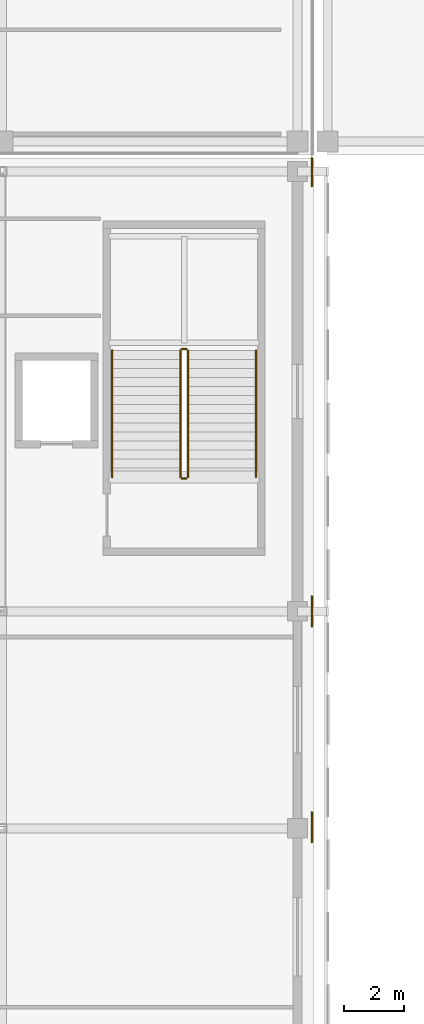
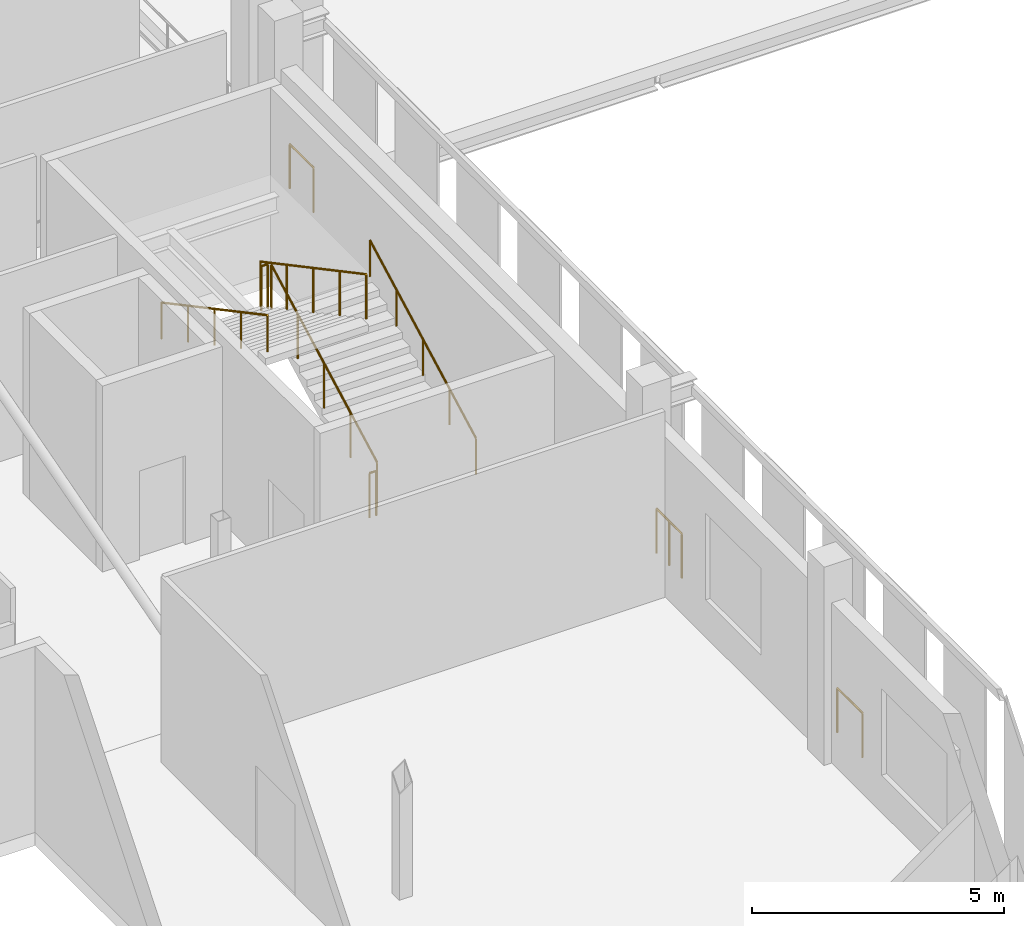
# One storey, part 71 of 74: 10 railings.
"""IFC4 building model written with IfcOpenShell, lengths in metres."""

from ifc_helpers import new_model, si_unit, direction, frame, origin, origin_2d, place, context, subcontext, project, spatial, circle, extrude, material, type_object, element, save


model = new_model("IFC4")

# Units and contexts
model_context = context("Model", 3, precision=1e-05, world=origin(), true_north=direction((0.0, 1.0)))
body_context = subcontext(model_context, "Body", "Model", "MODEL_VIEW")
ifc_project = project(units=[si_unit("LENGTHUNIT", "METRE"), si_unit("AREAUNIT", "SQUARE_METRE"), si_unit("VOLUMEUNIT", "CUBIC_METRE"), si_unit("PLANEANGLEUNIT", "RADIAN"), si_unit("MASSUNIT", "GRAM", prefix="KILO")], contexts=[model_context])

# Site, building, storey
site_placement = place(None, origin())
site = spatial("IfcSite", under=ifc_project, at=site_placement, CompositionType="ELEMENT")
building_placement = place(site_placement, origin())
building = spatial("IfcBuilding", under=site, at=building_placement, Name="Koshinbarg Plaza Stadium", CompositionType="ELEMENT")
storey_placement = place(building_placement, frame((0.0, 0.0, 15.0)))
storey = spatial("IfcBuildingStorey", under=building, at=storey_placement, Name="L03", CompositionType="ELEMENT", Elevation=15.0)

# Railings
ifc_material_1 = material(Name="Toughened laminated glass and stainless steel sightline balustrade", Category="steel")
railing_type_1 = type_object("IfcRailingType", Name="RL-BOWL-1100", PredefinedType="BALUSTRADE", material=ifc_material_1)
railing_1_placement = place(storey_placement, frame((218.875, 111.89990234375, 0.0)))
element("IfcRailing", 1, at=railing_1_placement, inside=storey, type_object=railing_type_1, Name="L03 deck edge safety balustrade 0248", PredefinedType="BALUSTRADE", context=body_context, shape_type="SweptSolid", body=[
    extrude(circle(Radius=0.02392578125, at=origin_2d()), frame((0.0, 0.0, 1.076171875), z_axis=(0.0, -1.0, 0.0), x_axis=(1.0, 0.0, 0.0)), (0.0, 0.0, 1.0), 0.498291015625),
    extrude(circle(Radius=0.02099609375, at=origin_2d()), origin(), (0.0, 0.0, 1.0), 1.052001953125),
    extrude(circle(Radius=0.02099609375, at=origin_2d()), frame((0.0, -0.498291015625, 0.0)), (0.0, 0.0, 1.0), 1.052001953125),
])
railing_2_placement = place(storey_placement, frame((218.875, 105.23583984375, 0.0)))
element("IfcRailing", 2, at=railing_2_placement, inside=storey, type_object=railing_type_1, Name="L03 deck edge safety balustrade 0249", PredefinedType="BALUSTRADE", context=body_context, shape_type="SweptSolid", body=[
    extrude(circle(Radius=0.02392578125, at=origin_2d()), frame((0.0, 0.0, 1.076171875), z_axis=(0.0, -1.0, 0.0), x_axis=(1.0, 0.0, 0.0)), (0.0, 0.0, 1.0), 0.996826171875),
    extrude(circle(Radius=0.02099609375, at=origin_2d()), origin(), (0.0, 0.0, 1.0), 1.052001953125),
    extrude(circle(Radius=0.02099609375, at=origin_2d()), frame((0.0, -0.996826171875, 0.0)), (0.0, 0.0, 1.0), 1.052001953125),
])
railing_3_placement = place(storey_placement, frame((218.875, 126.955078125, 0.0)))
element("IfcRailing", 3, at=railing_3_placement, inside=storey, type_object=railing_type_1, Name="L03 deck edge safety balustrade 0255", PredefinedType="BALUSTRADE", context=body_context, shape_type="SweptSolid", body=[
    extrude(circle(Radius=0.02392578125, at=origin_2d()), frame((0.0, 0.0, 1.076171875), z_axis=(0.0, -1.0, 0.0), x_axis=(1.0, 0.0, 0.0)), (0.0, 0.0, 1.0), 0.9453125),
    extrude(circle(Radius=0.02099609375, at=origin_2d()), origin(), (0.0, 0.0, 1.0), 1.052001953125),
    extrude(circle(Radius=0.02099609375, at=origin_2d()), frame((0.0, -0.9453125, 0.0)), (0.0, 0.0, 1.0), 1.052001953125),
])
railing_4_placement = place(storey_placement, frame((218.875, 112.398193359375, 0.0)))
element("IfcRailing", 4, at=railing_4_placement, inside=storey, type_object=railing_type_1, Name="L03 deck edge safety balustrade 0256", PredefinedType="BALUSTRADE", context=body_context, shape_type="SweptSolid", body=[
    extrude(circle(Radius=0.02392578125, at=origin_2d()), frame((0.0, 0.0, 1.076171875), z_axis=(0.0, -1.0, 0.0), x_axis=(1.0, 0.0, 0.0)), (0.0, 0.0, 1.0), 0.498291015625),
    extrude(circle(Radius=0.02099609375, at=origin_2d()), origin(), (0.0, 0.0, 1.0), 1.052001953125),
    extrude(circle(Radius=0.02099609375, at=origin_2d()), frame((0.0, -0.498291015625, 0.0)), (0.0, 0.0, 1.0), 1.052001953125),
])
ifc_material_2 = material(Name="Galvanized painted steel guardrail", Category="steel")
railing_type_2 = type_object("IfcRailingType", Name="RL-GUARD-1100", PredefinedType="GUARDRAIL", material=ifc_material_2)
railing_5_placement = place(storey_placement, frame((214.760009765625, 116.360107421875, 0.159912109375)))
element("IfcRailing", 5, at=railing_5_placement, inside=storey, type_object=railing_type_2, Name="L03 C10 stair guard 1", PredefinedType="GUARDRAIL", context=body_context, shape_type="SweptSolid", body=[
    extrude(circle(Radius=0.02392578125, at=origin_2d()), frame((0.0, 0.0, 1.076171875), z_axis=(0.0, 0.882351521365, 0.470590897432), x_axis=(-1.0, 0.0, 0.0)), (0.0, 0.0, 1.0), 4.760009765625),
    extrude(circle(Radius=0.02099609375, at=origin_2d()), origin(), (0.0, 0.0, 1.0), 1.052001953125),
    extrude(circle(Radius=0.02099609375, at=origin_2d()), frame((0.0, 1.050048828125, 0.56005859375)), (0.0, 0.0, 1.0), 1.052001953125),
    extrude(circle(Radius=0.02099609375, at=origin_2d()), frame((0.0, 2.10009765625, 1.1201171875)), (0.0, 0.0, 1.0), 1.052001953125),
    extrude(circle(Radius=0.02099609375, at=origin_2d()), frame((0.0, 3.14990234375, 1.679931640625)), (0.0, 0.0, 1.0), 1.052001953125),
    extrude(circle(Radius=0.02099609375, at=origin_2d()), frame((0.0, 4.199951171875, 2.239990234375)), (0.0, 0.0, 1.0), 1.052001953125),
])
railing_6_placement = place(storey_placement, frame((214.7099609375, 120.610107421875, 2.39990234375)))
element("IfcRailing", 6, at=railing_6_placement, inside=storey, type_object=railing_type_2, Name="L03 C10 stair guard 2", PredefinedType="GUARDRAIL", context=body_context, shape_type="SweptSolid", body=[
    extrude(circle(Radius=0.02392578125, at=origin_2d()), frame((0.0, 0.0, 1.076171875), z_axis=(-1.0, 0.0, 0.0), x_axis=(0.0, -1.0, 0.0)), (0.0, 0.0, 1.0), 0.14990234375),
    extrude(circle(Radius=0.02099609375, at=origin_2d()), origin(), (0.0, 0.0, 1.0), 1.052001953125),
    extrude(circle(Radius=0.02099609375, at=origin_2d()), frame((-0.14990234375, 0.0, 0.0)), (0.0, 0.0, 1.0), 1.052001953125),
])
railing_7_placement = place(storey_placement, frame((214.510009765625, 120.56005859375, 2.56005859375)))
element("IfcRailing", 7, at=railing_7_placement, inside=storey, type_object=railing_type_2, Name="L03 C10 stair guard 3", PredefinedType="GUARDRAIL", context=body_context, shape_type="SweptSolid", body=[
    extrude(circle(Radius=0.02392578125, at=origin_2d()), frame((0.0, 0.0, 1.076171875), z_axis=(0.0, -0.882351521365, 0.470590897432), x_axis=(1.0, 0.0, 0.0)), (0.0, 0.0, 1.0), 4.760009765625),
    extrude(circle(Radius=0.02099609375, at=origin_2d()), origin(), (0.0, 0.0, 1.0), 1.052001953125),
    extrude(circle(Radius=0.02099609375, at=origin_2d()), frame((0.0, -1.050048828125, 0.56005859375)), (0.0, 0.0, 1.0), 1.052001953125),
    extrude(circle(Radius=0.02099609375, at=origin_2d()), frame((0.0, -2.10009765625, 1.1201171875)), (0.0, 0.0, 1.0), 1.052001953125),
    extrude(circle(Radius=0.02099609375, at=origin_2d()), frame((0.0, -3.14990234375, 1.679931640625)), (0.0, 0.0, 1.0), 1.052001953125),
    extrude(circle(Radius=0.02099609375, at=origin_2d()), frame((0.0, -4.199951171875, 2.239990234375)), (0.0, 0.0, 1.0), 1.052001953125),
])
railing_8_placement = place(storey_placement, frame((214.7099609375, 116.31005859375, 0.0)))
element("IfcRailing", 8, at=railing_8_placement, inside=storey, type_object=railing_type_2, Name="L03 C10 stair guard 4", PredefinedType="GUARDRAIL", context=body_context, shape_type="SweptSolid", body=[
    extrude(circle(Radius=0.02392578125, at=origin_2d()), frame((0.0, 0.0, 1.076171875), z_axis=(-1.0, 0.0, 0.0), x_axis=(0.0, -1.0, 0.0)), (0.0, 0.0, 1.0), 0.14990234375),
    extrude(circle(Radius=0.02099609375, at=origin_2d()), origin(), (0.0, 0.0, 1.0), 1.052001953125),
    extrude(circle(Radius=0.02099609375, at=origin_2d()), frame((-0.14990234375, 0.0, 0.0)), (0.0, 0.0, 1.0), 1.052001953125),
])
ifc_material_3 = material(Name="Brushed stainless steel handrail", Category="steel")
railing_type_3 = type_object("IfcRailingType", Name="RL-HAND-900", PredefinedType="HANDRAIL", material=ifc_material_3)
railing_9_placement = place(storey_placement, frame((217.02001953125, 116.360107421875, 0.159912109375)))
element("IfcRailing", 9, at=railing_9_placement, inside=storey, type_object=railing_type_3, Name="L03 C10 stair handrail 1", PredefinedType="HANDRAIL", context=body_context, shape_type="SweptSolid", body=[
    extrude(circle(Radius=0.02392578125, at=origin_2d()), frame((0.0, 0.0, 0.8759765625), z_axis=(0.0, 0.882351521365, 0.470590897432), x_axis=(-1.0, 0.0, 0.0)), (0.0, 0.0, 1.0), 4.760009765625),
    extrude(circle(Radius=0.02099609375, at=origin_2d()), origin(), (0.0, 0.0, 1.0), 0.851806640625),
    extrude(circle(Radius=0.02099609375, at=origin_2d()), frame((0.0, 1.050048828125, 0.56005859375)), (0.0, 0.0, 1.0), 0.851806640625),
    extrude(circle(Radius=0.02099609375, at=origin_2d()), frame((0.0, 2.10009765625, 1.1201171875)), (0.0, 0.0, 1.0), 0.851806640625),
    extrude(circle(Radius=0.02099609375, at=origin_2d()), frame((0.0, 3.14990234375, 1.679931640625)), (0.0, 0.0, 1.0), 0.851806640625),
    extrude(circle(Radius=0.02099609375, at=origin_2d()), frame((0.0, 4.199951171875, 2.239990234375)), (0.0, 0.0, 1.0), 0.851806640625),
])
railing_10_placement = place(storey_placement, frame((212.25, 120.56005859375, 2.56005859375)))
element("IfcRailing", 10, at=railing_10_placement, inside=storey, type_object=railing_type_3, Name="L03 C10 stair handrail 2", PredefinedType="HANDRAIL", context=body_context, shape_type="SweptSolid", body=[
    extrude(circle(Radius=0.02392578125, at=origin_2d()), frame((0.0, 0.0, 0.8759765625), z_axis=(0.0, -0.882351521365, 0.470590897432), x_axis=(1.0, 0.0, 0.0)), (0.0, 0.0, 1.0), 4.760009765625),
    extrude(circle(Radius=0.02099609375, at=origin_2d()), origin(), (0.0, 0.0, 1.0), 0.851806640625),
    extrude(circle(Radius=0.02099609375, at=origin_2d()), frame((0.0, -1.050048828125, 0.56005859375)), (0.0, 0.0, 1.0), 0.851806640625),
    extrude(circle(Radius=0.02099609375, at=origin_2d()), frame((0.0, -2.10009765625, 1.1201171875)), (0.0, 0.0, 1.0), 0.851806640625),
    extrude(circle(Radius=0.02099609375, at=origin_2d()), frame((0.0, -3.14990234375, 1.679931640625)), (0.0, 0.0, 1.0), 0.851806640625),
    extrude(circle(Radius=0.02099609375, at=origin_2d()), frame((0.0, -4.199951171875, 2.239990234375)), (0.0, 0.0, 1.0), 0.851806640625),
])

save(model, "model.ifc")
